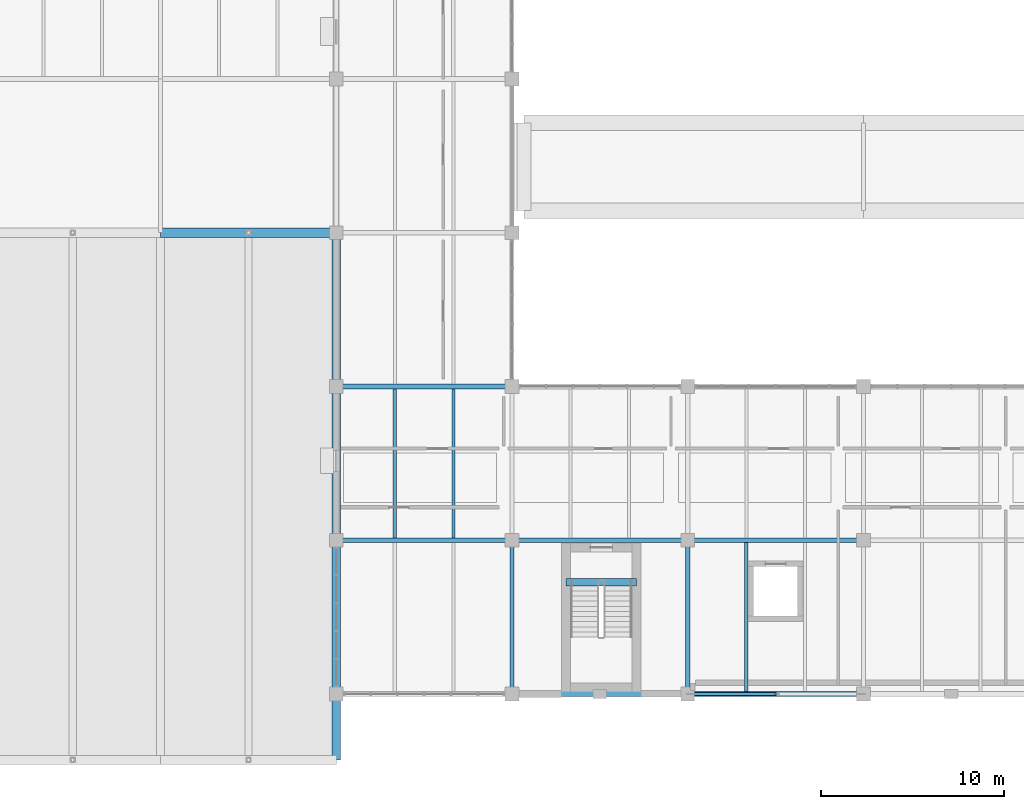
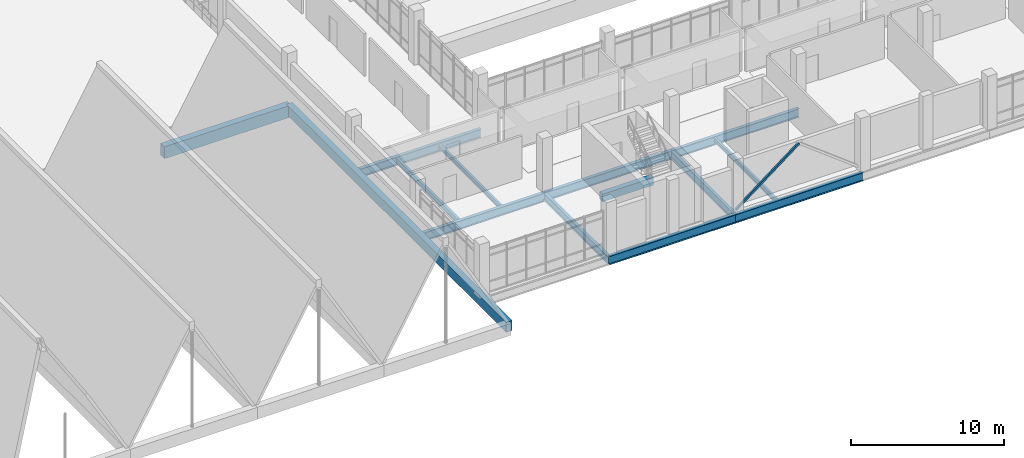
# One storey, part 16 of 86: 14 beams, 1 member, 1 element without a shape of its own.
"""IFC4 building model written with IfcOpenShell, lengths in metres."""

from ifc_helpers import new_model, si_unit, direction, frame, origin, origin_2d, place, context, subcontext, project, spatial, rectangle, hollow_rectangle, i_section, extrude, material, material_profile, profile_set, type_object, element, aggregate, save


model = new_model("IFC4")

# Units and contexts
model_context = context("Model", 3, precision=1e-05, world=origin(), true_north=direction((0.0, 1.0)))
body_context = subcontext(model_context, "Body", "Model", "MODEL_VIEW")
ifc_project = project(units=[si_unit("LENGTHUNIT", "METRE"), si_unit("AREAUNIT", "SQUARE_METRE"), si_unit("VOLUMEUNIT", "CUBIC_METRE"), si_unit("PLANEANGLEUNIT", "RADIAN"), si_unit("MASSUNIT", "GRAM", prefix="KILO")], contexts=[model_context])

# Site, building, storey
site_placement = place(None, origin())
site = spatial("IfcSite", under=ifc_project, at=site_placement, CompositionType="ELEMENT")
building_placement = place(site_placement, origin())
building = spatial("IfcBuilding", under=site, at=building_placement, Name="Oolite Switchyard Hospital", CompositionType="ELEMENT")
storey_placement = place(building_placement, frame((0.0, 0.0, 13.5)))
storey = spatial("IfcBuildingStorey", under=building, at=storey_placement, Name="L03", CompositionType="ELEMENT", Elevation=13.5)

# Roof, beam
ifc_material_1 = material(Name="Concrete C40/50", Category="concrete")
roof_type = type_object("IfcRoofType", Name="ROOF-FOLDED", PredefinedType="FREEFORM", material=ifc_material_1)
roof_placement = place(storey_placement, origin())
roof = element("IfcRoof", 1, at=roof_placement, inside=storey, type_object=roof_type, Name="L03 Main Arrival Hall Folded-Plate Roof", PredefinedType="FREEFORM")
ifc_material_profile_1 = material_profile(ifc_material_1, rectangle(XDim=0.5, YDim=0.949951171875, at=origin_2d()), Name="RCG500X950")
ifc_profile_set_1 = profile_set([ifc_material_profile_1], Name="Concrete C40/50")
beam_type_1 = type_object("IfcBeamType", Name="BM-GABLE950", PredefinedType="T_BEAM", material=ifc_profile_set_1)
beam_1_placement = place(storey_placement, frame((124.800048828125, 33.60009765625, -0.47509765625), z_axis=(1.0, 0.0, 0.0), x_axis=(0.0, 1.0, 0.0)))
beam_1 = element("IfcBeam", 2, at=beam_1_placement, type_object=beam_type_1, Name="Main Hall Gable Diaphragm Tie Beam N7", PredefinedType="T_BEAM", context=body_context, shape_type="SweptSolid", body=[
    extrude(rectangle(XDim=0.5, YDim=0.949951171875, at=origin_2d()), origin(), (0.0, 0.0, 1.0), 9.599853515625),
])

# Beam
ifc_material_profile_2 = material_profile(ifc_material_1, rectangle(XDim=0.39990234375, YDim=0.60009765625, at=origin_2d()), Name="RCB400X600")
ifc_profile_set_2 = profile_set([ifc_material_profile_2], Name="Concrete C40/50")
beam_type_2 = type_object("IfcBeamType", Name="BM-RC400X600", PredefinedType="BEAM", material=ifc_profile_set_2)
beam_2_placement = place(storey_placement, frame((146.949951171875, 14.510009765625, -0.300048828125), z_axis=(1.0, 0.0, 0.0), x_axis=(0.0, 1.0, 0.0)))
element("IfcBeam", 3, at=beam_2_placement, inside=storey, type_object=beam_type_2, Name="L03 ST-05 Stair Throat Trimmer Beam", PredefinedType="BEAM", context=body_context, shape_type="SweptSolid", body=[
    extrude(rectangle(XDim=0.39990234375, YDim=0.60009765625, at=origin_2d()), origin(), (0.0, 0.0, 1.0), 3.860107421875),
])

ifc_material_profile_3 = material_profile(ifc_material_1, rectangle(XDim=0.449951171875, YDim=0.800048828125, at=origin_2d()), Name="RCV450X800")
ifc_profile_set_3 = profile_set([ifc_material_profile_3], Name="Concrete C40/50")
beam_type_3 = type_object("IfcBeamType", Name="BM-VALLEY800", PredefinedType="T_BEAM", material=ifc_profile_set_3)
beam_3_placement = place(storey_placement, frame((134.39990234375, 4.800048828125, -0.39990234375), z_axis=(0.0, 1.0, 0.0), x_axis=(-1.0, 0.0, 0.0)))
beam_3 = element("IfcBeam", 4, at=beam_3_placement, type_object=beam_type_3, Name="Main Hall Folded-Plate Valley Beam 8", PredefinedType="T_BEAM", context=body_context, shape_type="SweptSolid", body=[
    extrude(rectangle(XDim=0.449951171875, YDim=0.800048828125, at=origin_2d()), origin(), (0.0, 0.0, 1.0), 28.800048828125),
])

aggregate(roof, [beam_1, beam_3])

# Beams
ifc_material_2 = material(Name="Steel ASTM A992 Grade 50", Category="steel")
ifc_material_profile_4 = material_profile(ifc_material_2, i_section(OverallWidth=0.1708984375, OverallDepth=0.35107421875, WebThickness=0.007080078125, FlangeThickness=0.010009765625, at=origin_2d()), Name="W14X30")
ifc_profile_set_4 = profile_set([ifc_material_profile_4], Name="Steel ASTM A992 Grade 50")
beam_type_4 = type_object("IfcBeamType", Name="BM-W14X30", PredefinedType="JOIST", material=ifc_profile_set_4)
for number, where, z_axis, x_axis, name in (
    (5, (140.800048828125, 16.927001953125, -0.449951171875), (0.0, 1.0, 0.0), (-1.0, 0.0, 0.0), "L03 Secondary Steel Joist 2591"),
    (6, (156.800048828125, 8.527099609375, -0.449951171875), (0.0, 1.0, 0.0), (-1.0, 0.0, 0.0), "L03 Secondary Steel Joist 2638"),
):
    element("IfcBeam", number, at=place(storey_placement, frame(where, z_axis=z_axis, x_axis=x_axis)), inside=storey, type_object=beam_type_4, Name=name, PredefinedType="JOIST", context=body_context, shape_type="SweptSolid", body=[
        extrude(i_section(OverallWidth=0.1708984375, OverallDepth=0.35107421875, WebThickness=0.007080078125, FlangeThickness=0.010009765625, at=origin_2d()), origin(), (0.0, 0.0, 1.0), 8.14599609375),
    ])
ifc_material_profile_5 = material_profile(ifc_material_2, i_section(OverallWidth=0.177978515625, OverallDepth=0.403076171875, WebThickness=0.008056640625, FlangeThickness=0.010986328125, at=origin_2d()), Name="W16X36")
ifc_profile_set_5 = profile_set([ifc_material_profile_5], Name="Steel ASTM A992 Grade 50")
beam_type_5 = type_object("IfcBeamType", Name="BM-W16X36", PredefinedType="JOIST", material=ifc_profile_set_5)
beam_4_placement = place(storey_placement, frame((137.60009765625, 16.927001953125, -0.47607421875), z_axis=(0.0, 1.0, 0.0), x_axis=(-1.0, 0.0, 0.0)))
element("IfcBeam", 7, at=beam_4_placement, inside=storey, type_object=beam_type_5, Name="L03 Secondary Steel Joist 2590", PredefinedType="JOIST", context=body_context, shape_type="SweptSolid", body=[
    extrude(i_section(OverallWidth=0.177978515625, OverallDepth=0.403076171875, WebThickness=0.008056640625, FlangeThickness=0.010986328125, at=origin_2d()), origin(), (0.0, 0.0, 1.0), 8.14599609375),
])
ifc_material_profile_6 = material_profile(ifc_material_2, i_section(OverallWidth=0.22900390625, OverallDepth=0.612060546875, WebThickness=0.011962890625, FlangeThickness=0.02001953125, at=origin_2d()), Name="W24X84")
ifc_profile_set_6 = profile_set([ifc_material_profile_6], Name="Steel ASTM A992 Grade 50")
beam_type_6 = type_object("IfcBeamType", Name="BM-W24X84", PredefinedType="BEAM", material=ifc_profile_set_6)
for number, where, z_axis, x_axis, name in (
    (8, (144.0, 8.39990234375, -0.5810546875), (0.0, 1.0, 0.0), (-1.0, 0.0, 0.0), "L03 Y-Girder 2295"),
    (9, (153.60009765625, 8.39990234375, -0.5810546875), (0.0, 1.0, 0.0), (-1.0, 0.0, 0.0), "L03 Y-Girder 2312"),
):
    element("IfcBeam", number, at=place(storey_placement, frame(where, z_axis=z_axis, x_axis=x_axis)), inside=storey, type_object=beam_type_6, Name=name, PredefinedType="BEAM", context=body_context, shape_type="SweptSolid", body=[
        extrude(i_section(OverallWidth=0.22900390625, OverallDepth=0.612060546875, WebThickness=0.011962890625, FlangeThickness=0.02001953125, at=origin_2d()), origin(), (0.0, 0.0, 1.0), 8.400146484375),
    ])
ifc_material_profile_7 = material_profile(ifc_material_2, i_section(OverallWidth=0.25390625, OverallDepth=0.68408203125, WebThickness=0.011962890625, FlangeThickness=0.01904296875, at=origin_2d()), Name="W27X94")
ifc_profile_set_7 = profile_set([ifc_material_profile_7], Name="Steel ASTM A992 Grade 50")
beam_type_7 = type_object("IfcBeamType", Name="BM-W27X94", PredefinedType="BEAM", material=ifc_profile_set_7)
beam_5_placement = place(storey_placement, frame((144.0, 8.39990234375, -0.616943359375), z_axis=(1.0, 0.0, 0.0), x_axis=(0.0, 1.0, 0.0)))
element("IfcBeam", 10, at=beam_5_placement, inside=storey, type_object=beam_type_7, Name="L03 X-Girder 1927", PredefinedType="BEAM", context=body_context, shape_type="SweptSolid", body=[
    extrude(i_section(OverallWidth=0.25390625, OverallDepth=0.68408203125, WebThickness=0.011962890625, FlangeThickness=0.01904296875, at=origin_2d()), origin(), (0.0, 0.0, 1.0), 9.60009765625),
])
beam_6_placement = place(storey_placement, frame((153.60009765625, 8.39990234375, -0.616943359375), z_axis=(1.0, 0.0, 0.0), x_axis=(0.0, 1.0, 0.0)))
element("IfcBeam", 11, at=beam_6_placement, inside=storey, type_object=beam_type_7, Name="L03 X-Girder 1928", PredefinedType="BEAM", context=body_context, shape_type="SweptSolid", body=[
    extrude(i_section(OverallWidth=0.25390625, OverallDepth=0.68408203125, WebThickness=0.011962890625, FlangeThickness=0.01904296875, at=origin_2d()), origin(), (0.0, 0.0, 1.0), 9.599853515625),
])
for number, where, z_axis, x_axis, name in (
    (12, (134.39990234375, 16.800048828125, -0.616943359375), (1.0, 0.0, 0.0), (0.0, 1.0, 0.0), "L03 X-Girder 1933"),
    (13, (144.0, 16.800048828125, -0.616943359375), (1.0, 0.0, 0.0), (0.0, 1.0, 0.0), "L03 X-Girder 1934"),
):
    element("IfcBeam", number, at=place(storey_placement, frame(where, z_axis=z_axis, x_axis=x_axis)), inside=storey, type_object=beam_type_7, Name=name, PredefinedType="BEAM", context=body_context, shape_type="SweptSolid", body=[
        extrude(i_section(OverallWidth=0.25390625, OverallDepth=0.68408203125, WebThickness=0.011962890625, FlangeThickness=0.01904296875, at=origin_2d()), origin(), (0.0, 0.0, 1.0), 9.60009765625),
    ])
beam_7_placement = place(storey_placement, frame((153.60009765625, 16.800048828125, -0.616943359375), z_axis=(1.0, 0.0, 0.0), x_axis=(0.0, 1.0, 0.0)))
element("IfcBeam", 14, at=beam_7_placement, inside=storey, type_object=beam_type_7, Name="L03 X-Girder 1935", PredefinedType="BEAM", context=body_context, shape_type="SweptSolid", body=[
    extrude(i_section(OverallWidth=0.25390625, OverallDepth=0.68408203125, WebThickness=0.011962890625, FlangeThickness=0.01904296875, at=origin_2d()), origin(), (0.0, 0.0, 1.0), 9.599853515625),
])
beam_8_placement = place(storey_placement, frame((134.39990234375, 25.199951171875, -0.616943359375), z_axis=(1.0, 0.0, 0.0), x_axis=(0.0, 1.0, 0.0)))
element("IfcBeam", 15, at=beam_8_placement, inside=storey, type_object=beam_type_7, Name="L03 X-Girder 1941", PredefinedType="BEAM", context=body_context, shape_type="SweptSolid", body=[
    extrude(i_section(OverallWidth=0.25390625, OverallDepth=0.68408203125, WebThickness=0.011962890625, FlangeThickness=0.01904296875, at=origin_2d()), origin(), (0.0, 0.0, 1.0), 9.60009765625),
])

# Member
ifc_material_3 = material(Name="Steel ASTM A500 Grade C", Category="steel")
ifc_material_profile_8 = material_profile(ifc_material_3, hollow_rectangle(XDim=0.152099609375, YDim=0.152099609375, WallThickness=0.010009765625, at=origin_2d()), Name="HSS152X152X10")
ifc_profile_set_8 = profile_set([ifc_material_profile_8], Name="Steel ASTM A500 Grade C")
member_type = type_object("IfcMemberType", Name="MEM-BR-HSS152", PredefinedType="BRACE", material=ifc_profile_set_8)
member_placement = place(storey_placement, frame((153.60009765625, 8.39990234375, 0.02001953125), z_axis=(0.793599864235, 0.0, 0.608440017986), x_axis=(0.0, 1.0, 0.0)))
element("IfcMember", 16, at=member_placement, inside=storey, type_object=member_type, Name="L03 Chevron Brace 67", PredefinedType="BRACE", context=body_context, shape_type="SweptSolid", body=[
    extrude(hollow_rectangle(XDim=0.152099609375, YDim=0.152099609375, WallThickness=0.010009765625, at=origin_2d()), origin(), (0.0, 0.0, 1.0), 6.048095703125),
])

save(model, "model.ifc")
